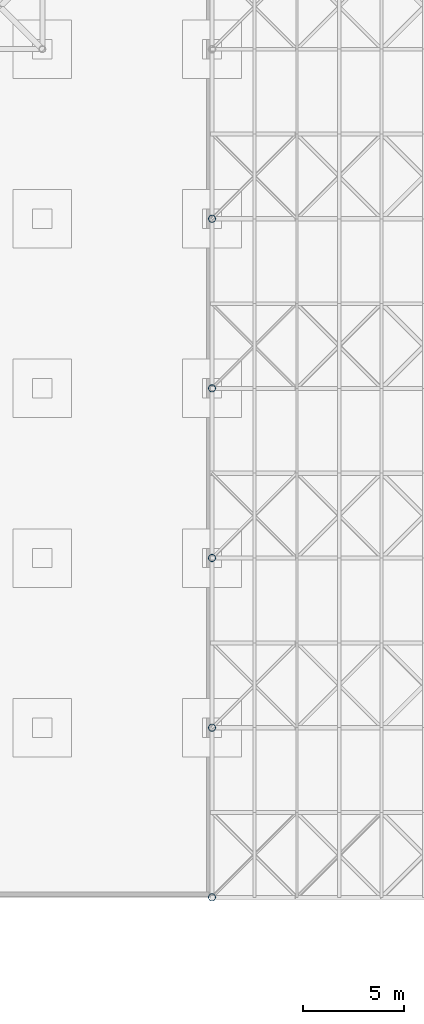
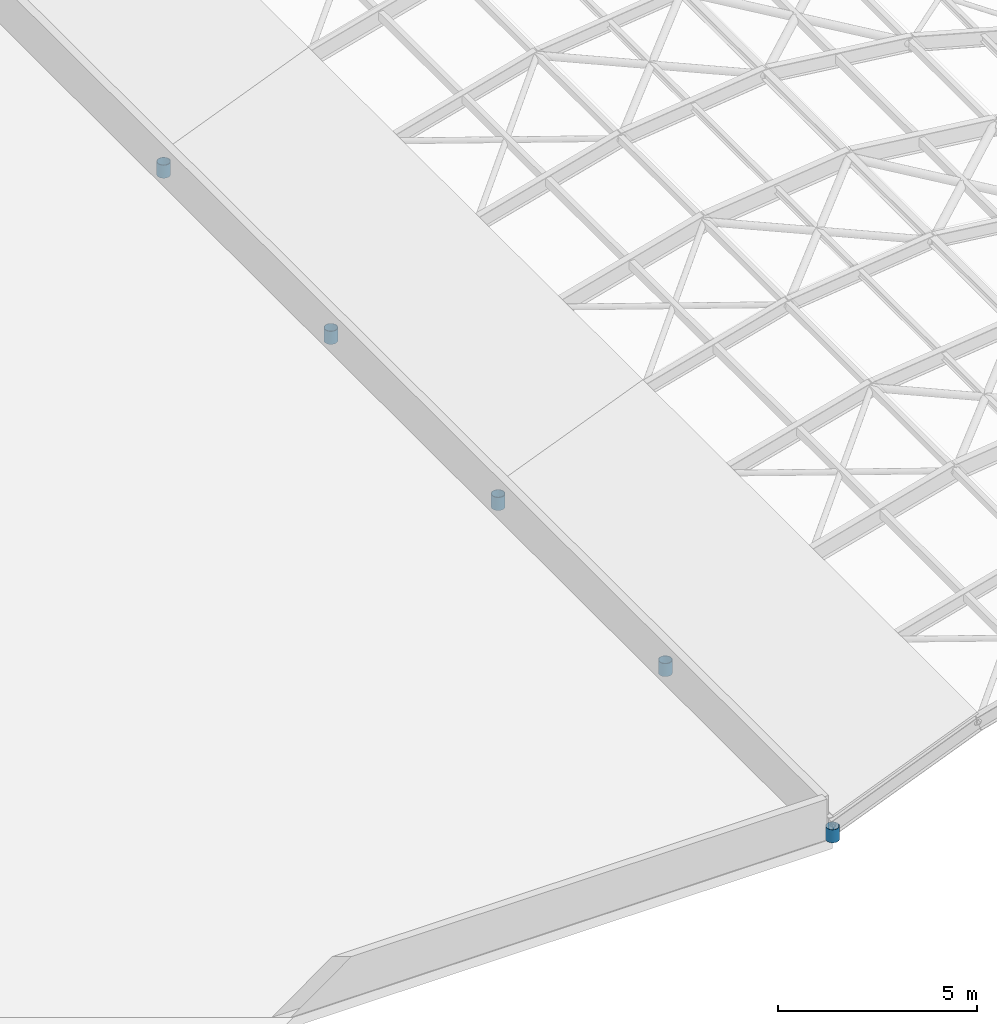
# One storey, part 11 of 85: 5 columns.
"""IFC4 building model written with IfcOpenShell, lengths in metres."""

import ifcopenshell
import ifcopenshell.guid

model = None  # the IFC model being written
_history = None  # IfcOwnerHistory: only IFC2X3 demands one
_inside = {}  # id of a spatial element -> (the spatial element, [elements in it])
_under = {}  # id of a project, library or spatial element -> (it, [spatial elements below it])
_declared = {}  # id of a project -> (the project, [libraries it declares])
_typed = {}  # id of a type object -> (the type object, [elements of that type])
_made_of = {}  # id of a material, layer set ... -> (it, [elements and type objects made of it])


def new_model(schema):
    """Start an empty IFC model of exactly this schema.

    Asked for "IFC4X3", IfcOpenShell would pick the latest addendum, in which some entities
    have other attributes; the version numbers below select the first issue.
    IFC2X3 requires an IfcOwnerHistory on every rooted entity: one is made here for all.
    """
    global model, _history
    if schema == "IFC4X3":
        model = ifcopenshell.file(schema_version=(4, 3, 0, 0))
    else:
        model = ifcopenshell.file(schema=schema)
    _inside.clear()
    _under.clear()
    _declared.clear()
    _typed.clear()
    _made_of.clear()
    _history = None
    if model.schema == "IFC2X3":
        org = make("IfcOrganization", Name="unknown")
        user = make(
            "IfcPersonAndOrganization",
            ThePerson=make("IfcPerson", FamilyName="unknown"),
            TheOrganization=org,
        )
        app = make(
            "IfcApplication",
            ApplicationDeveloper=org,
            Version="unknown",
            ApplicationFullName="unknown",
            ApplicationIdentifier="unknown",
        )
        _history = make(
            "IfcOwnerHistory",
            OwningUser=user,
            OwningApplication=app,
            ChangeAction="ADDED",
            CreationDate=0,
        )
    return model


def make(cls, **values):
    """One entity of the class cls with the attributes given. An attribute that is None is left unset."""
    return model.create_entity(
        cls, **{name: value for name, value in values.items() if value is not None}
    )


def rooted(cls, **values):
    """An entity with a GlobalId (a new one), such as an element, a storey or a relation."""
    return make(cls, GlobalId=ifcopenshell.guid.new(), OwnerHistory=_history, **values)


def si_unit(unit_type, name, prefix=None):
    """IfcSIUnit, for example si_unit("LENGTHUNIT", "METRE", prefix="MILLI")."""
    return make("IfcSIUnit", UnitType=unit_type, Prefix=prefix, Name=name)


def assignment(units):
    """IfcUnitAssignment: the units of a project."""
    return None if units is None else make("IfcUnitAssignment", Units=units)


def point(xyz):
    """IfcCartesianPoint."""
    return None if xyz is None else make("IfcCartesianPoint", Coordinates=xyz)


def direction(xyz):
    """IfcDirection."""
    return None if xyz is None else make("IfcDirection", DirectionRatios=xyz)


def frame(location, z_axis=None, x_axis=None):
    """IfcAxis2Placement3D, a coordinate frame: its origin and axes. An axis left out is left unset."""
    return make(
        "IfcAxis2Placement3D",
        Location=point(location),
        Axis=direction(z_axis),
        RefDirection=direction(x_axis),
    )


def frame_2d(location, x_axis=None):
    """IfcAxis2Placement2D, a coordinate frame in the plane: its origin and x axis."""
    return make(
        "IfcAxis2Placement2D", Location=point(location), RefDirection=direction(x_axis)
    )


def origin():
    """The frame at (0, 0, 0) with its axes left unset."""
    return frame((0.0, 0.0, 0.0))


def origin_2d():
    """The frame at (0, 0) in the plane with its x axis left unset."""
    return frame_2d((0.0, 0.0))


def place(relative_to, where):
    """IfcLocalPlacement: puts the frame where relative to a parent placement (None: the world)."""
    return make(
        "IfcLocalPlacement", PlacementRelTo=relative_to, RelativePlacement=where
    )


def context(
    kind, dimensions, precision=None, world=None, true_north=None, identifier=None
):
    """IfcGeometricRepresentationContext, for example the 3D "Model" context."""
    return make(
        "IfcGeometricRepresentationContext",
        ContextIdentifier=identifier,
        ContextType=kind,
        CoordinateSpaceDimension=dimensions,
        Precision=precision,
        WorldCoordinateSystem=world,
        TrueNorth=true_north,
    )


def subcontext(parent, identifier, kind, view, scale=None):
    """IfcGeometricRepresentationSubContext, for example "Body" below "Model"."""
    return make(
        "IfcGeometricRepresentationSubContext",
        ContextIdentifier=identifier,
        ContextType=kind,
        ParentContext=parent,
        TargetScale=scale,
        TargetView=view,
    )


def project(units=None, contexts=None):
    """IfcProject with its units and contexts."""
    return rooted(
        "IfcProject",
        Name="project",
        RepresentationContexts=contexts,
        UnitsInContext=assignment(units),
    )


def spatial(cls, under=None, at=None, **own):
    """A site, building, storey or space (cls), placed at a placement, below another one or the project."""
    s = rooted(cls, ObjectPlacement=at, **own)
    if under is not None:
        _under.setdefault(under.id(), (under, []))[1].append(s)
    return s


def profile(cls, at=None, kind="AREA", **sizes):
    """A parametric profile (cls). Its sizes go by their IFC names, for example OverallWidth=200.0."""
    return make(cls, ProfileType=kind, Position=at, **sizes)


def hollow_circle(**sizes):
    """IfcCircleHollowProfileDef."""
    return profile("IfcCircleHollowProfileDef", **sizes)


def extrude(swept, where, along, depth):
    """IfcExtrudedAreaSolid: the profile swept, set in the frame where, extruded along a direction by depth."""
    return make(
        "IfcExtrudedAreaSolid",
        SweptArea=swept,
        Position=where,
        ExtrudedDirection=direction(along),
        Depth=depth,
    )


def shape(context_of_items, identifier, shape_type, items):
    """IfcShapeRepresentation: the items that make up one representation, for example the "Body"."""
    return make(
        "IfcShapeRepresentation",
        ContextOfItems=context_of_items,
        RepresentationIdentifier=identifier,
        RepresentationType=shape_type,
        Items=items,
    )


def material(Name=None, Category=None):
    """IfcMaterial."""
    return make("IfcMaterial", Name=Name, Category=Category)


def material_profile(
    of_material, cross_section, Name=None, Category=None, Priority=None
):
    """IfcMaterialProfile: a cross section and its material."""
    return make(
        "IfcMaterialProfile",
        Name=Name,
        Material=of_material,
        Profile=cross_section,
        Priority=Priority,
        Category=Category,
    )


def profile_set(profiles, Name=None, composite=None):
    """IfcMaterialProfileSet."""
    return make(
        "IfcMaterialProfileSet",
        Name=Name,
        MaterialProfiles=profiles,
        CompositeProfile=composite,
    )


def made_of(thing, what):
    """Note that an element or type object is made of a material, layer set ...; save() writes the relation."""
    if what is not None:
        _made_of.setdefault(what.id(), (what, []))[1].append(thing)
    return thing


def type_object(cls, material=None, **own):
    """A type object (cls), such as IfcWallType, which elements share."""
    return made_of(rooted(cls, **own), material)


def element(
    cls,
    number,
    at=None,
    inside=None,
    cuts=None,
    type_object=None,
    material=None,
    context=None,
    identifier="Body",
    shape_type=None,
    held_by="IfcProductDefinitionShape",
    body=None,
    shapes=None,
    **own,
):
    """One element of the class cls, such as IfcWall. Its Tag is "e" and its number.

    at: its placement. inside: the storey or other place that contains it. cuts: it is an
    opening in that element (IfcRelVoidsElement). A single representation is given by context,
    identifier, shape_type and body (its items); several are given by shapes. held_by: the class
    of the entity that holds the representations. save() writes the other relations.
    """
    e = rooted(cls, Tag="e%d" % number, ObjectPlacement=at, **own)
    if body is not None:
        shapes = [shape(context, identifier, shape_type, body)]
    if shapes is not None:
        e.Representation = make(held_by, Representations=shapes)
    if inside is not None:
        _inside.setdefault(inside.id(), (inside, []))[1].append(e)
    if cuts is not None:
        rooted(
            "IfcRelVoidsElement", RelatingBuildingElement=cuts, RelatedOpeningElement=e
        )
    if type_object is not None:
        _typed.setdefault(type_object.id(), (type_object, []))[1].append(e)
    return made_of(e, material)


def aggregate(whole, parts):
    """IfcRelAggregates: a whole, such as a stair, and the parts it consists of."""
    return rooted("IfcRelAggregates", RelatingObject=whole, RelatedObjects=parts)


def save(model, path):
    """Write the relations noted so far, then the file.

    IfcRelAggregates (storeys below a building ...), IfcRelContainedInSpatialStructure (elements
    in a storey), IfcRelDefinesByType, IfcRelAssociatesMaterial and IfcRelDeclares: one each for
    every whole, place, type object, material and project.
    """
    for whole, parts in _under.values():
        aggregate(whole, parts)
    for where, things in _inside.values():
        rooted(
            "IfcRelContainedInSpatialStructure",
            RelatedElements=things,
            RelatingStructure=where,
        )
    for kind, things in _typed.values():
        rooted("IfcRelDefinesByType", RelatedObjects=things, RelatingType=kind)
    for what, things in _made_of.values():
        rooted("IfcRelAssociatesMaterial", RelatedObjects=things, RelatingMaterial=what)
    for by, libraries in _declared.values():
        rooted("IfcRelDeclares", RelatingContext=by, RelatedDefinitions=libraries)
    model.write(path)


model = new_model("IFC4")

# Units and contexts
model_context = context("Model", 3, precision=1e-05, world=origin(), true_north=direction((0.0, 1.0)))
body_context = subcontext(model_context, "Body", "Model", "MODEL_VIEW")
ifc_project = project(units=[si_unit("LENGTHUNIT", "METRE"), si_unit("AREAUNIT", "SQUARE_METRE"), si_unit("VOLUMEUNIT", "CUBIC_METRE"), si_unit("PLANEANGLEUNIT", "RADIAN"), si_unit("MASSUNIT", "GRAM", prefix="KILO")], contexts=[model_context])

# Site, building, storey
site_placement = place(None, origin())
site = spatial("IfcSite", under=ifc_project, at=site_placement, CompositionType="ELEMENT")
building_placement = place(site_placement, origin())
building = spatial("IfcBuilding", under=site, at=building_placement, Name="Almacenes y Pasaje Nevantli", CompositionType="ELEMENT")
storey_placement = place(building_placement, frame((0.0, 0.0, 22.199951171875)))
storey = spatial("IfcBuildingStorey", under=building, at=storey_placement, Name="L05", CompositionType="ELEMENT", Elevation=22.199951171875)

# Columns
ifc_material = material(Name="Steel ASTM A500 Grade C", Category="steel")
ifc_material_profile = material_profile(ifc_material, hollow_circle(Radius=0.177734375, WallThickness=0.010986328125, at=origin_2d()), Name="OC 356x11.1")
ifc_profile_set = profile_set([ifc_material_profile], Name="Steel ASTM A500 Grade C")
column_type = type_object("IfcColumnType", Name="COL-STL-OC356", PredefinedType="COLUMN", material=ifc_profile_set)
for number, where, z_axis, x_axis, name in (
    (1, (67.199951171875, 0.0, 0.0), (0.0, 0.0, 1.0), (1.0, 0.0, 0.0), "L05 Arcade Barrel Vault West Springline Pedestal #1"),
    (2, (67.199951171875, 8.39990234375, 0.0), (0.0, 0.0, 1.0), (1.0, 0.0, 0.0), "L05 Arcade Barrel Vault West Springline Pedestal #2"),
    (3, (67.199951171875, 16.800048828125, 0.0), (0.0, 0.0, 1.0), (1.0, 0.0, 0.0), "L05 Arcade Barrel Vault West Springline Pedestal #3"),
    (4, (67.199951171875, 25.199951171875, 0.0), (0.0, 0.0, 1.0), (1.0, 0.0, 0.0), "L05 Arcade Barrel Vault West Springline Pedestal #4"),
    (5, (67.199951171875, 33.60009765625, 0.0), (0.0, 0.0, 1.0), (1.0, 0.0, 0.0), "L05 Arcade Barrel Vault West Springline Pedestal #5"),
):
    element("IfcColumn", number, at=place(storey_placement, frame(where, z_axis=z_axis, x_axis=x_axis)), inside=storey, type_object=column_type, Name=name, PredefinedType="COLUMN", context=body_context, shape_type="SweptSolid", body=[
        extrude(hollow_circle(Radius=0.177734375, WallThickness=0.010986328125, at=origin_2d()), origin(), (0.0, 0.0, 1.0), 0.400146484375),
    ])

save(model, "model.ifc")
